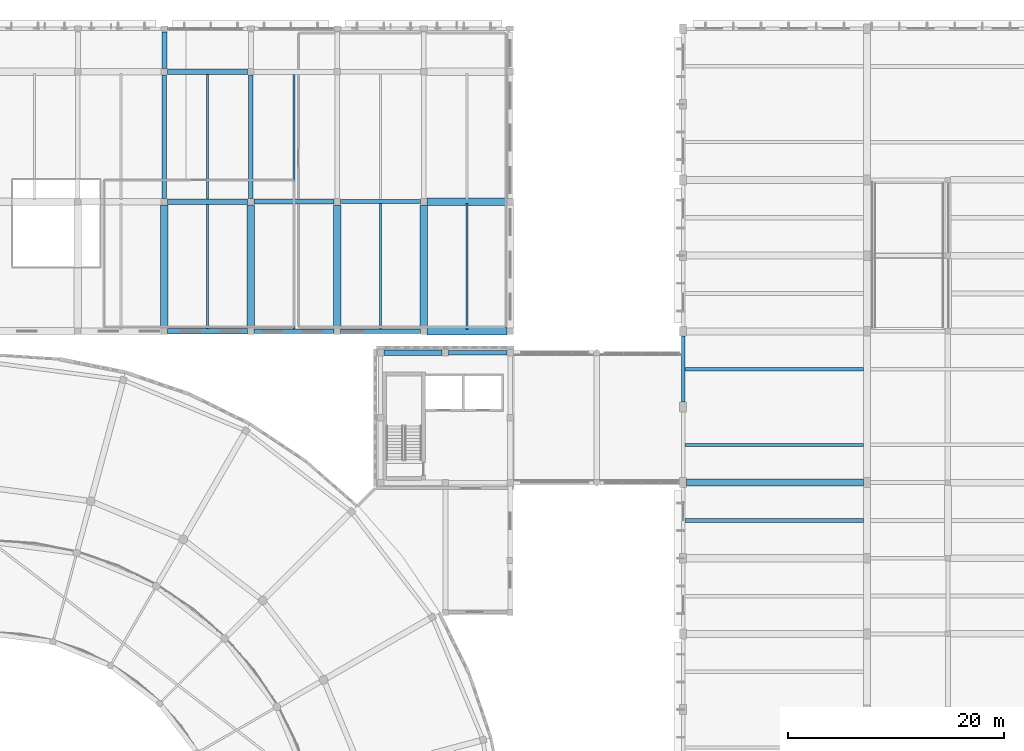
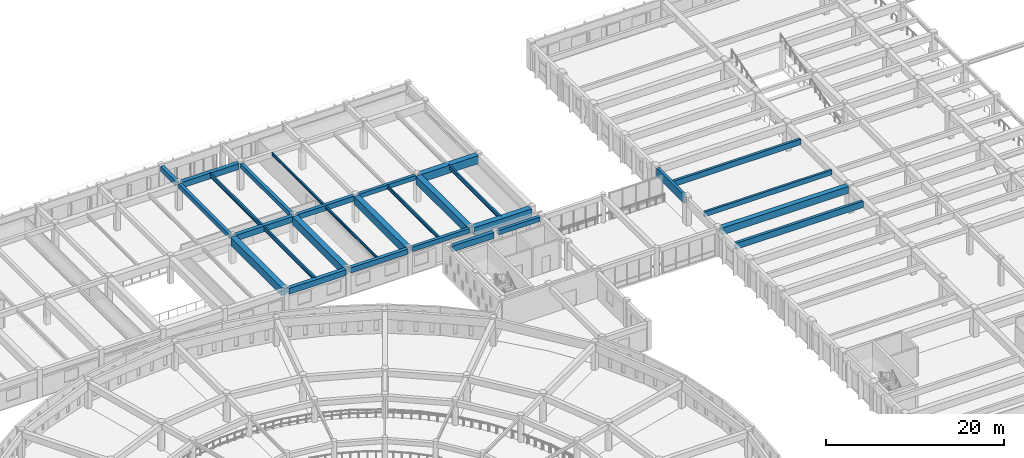
# One storey, part 21 of 98: 29 beams.
"""IFC4 building model written with IfcOpenShell, lengths in metres."""

from ifc_helpers import new_model, si_unit, direction, frame, origin, origin_2d, place, context, subcontext, project, spatial, rectangle, i_section, extrude, material, material_profile, profile_set, type_object, element, save


model = new_model("IFC4")

# Units and contexts
model_context = context("Model", 3, precision=1e-05, world=origin(), true_north=direction((0.0, 1.0)))
body_context = subcontext(model_context, "Body", "Model", "MODEL_VIEW")
ifc_project = project(units=[si_unit("LENGTHUNIT", "METRE"), si_unit("AREAUNIT", "SQUARE_METRE"), si_unit("VOLUMEUNIT", "CUBIC_METRE"), si_unit("PLANEANGLEUNIT", "RADIAN"), si_unit("MASSUNIT", "GRAM", prefix="KILO")], contexts=[model_context])

# Site, building, storey
site_placement = place(None, origin())
site = spatial("IfcSite", under=ifc_project, at=site_placement, CompositionType="ELEMENT")
building_placement = place(site_placement, origin())
building = spatial("IfcBuilding", under=site, at=building_placement, Name="Larkveld Mobility Hub", CompositionType="ELEMENT")
storey_placement = place(building_placement, frame((0.0, 0.0, 4.5)))
storey = spatial("IfcBuildingStorey", under=building, at=storey_placement, Name="L01", CompositionType="ELEMENT", Elevation=4.5)

# Beams
ifc_material_1 = material(Name="Precast concrete C50/60", Category="concrete")
ifc_material_profile_1 = material_profile(ifc_material_1, rectangle(XDim=0.280029296875, YDim=0.64990234375, at=origin_2d()), Name="PC DT 280x650")
ifc_profile_set_1 = profile_set([ifc_material_profile_1], Name="Precast concrete C50/60")
beam_type_1 = type_object("IfcBeamType", Name="BM-DT2865", PredefinedType="T_BEAM", material=ifc_profile_set_1)
beam_1_placement = place(storey_placement, frame((112.169921875, 87.5, 3.344970703125), z_axis=(1.0, 0.0, 0.0), x_axis=(0.0, 1.0, 0.0)))
element("IfcBeam", 1, at=beam_1_placement, inside=storey, type_object=beam_type_1, Name="Precast Double-Tee Stem L01-1064", PredefinedType="T_BEAM", context=body_context, shape_type="SweptSolid", body=[
    extrude(rectangle(XDim=0.280029296875, YDim=0.64990234375, at=origin_2d()), origin(), (0.0, 0.0, 1.0), 16.510009765625),
])
ifc_material_profile_2 = material_profile(ifc_material_1, rectangle(XDim=0.320068359375, YDim=0.75, at=origin_2d()), Name="PC DT 320x750")
ifc_profile_set_2 = profile_set([ifc_material_profile_2], Name="Precast concrete C50/60")
beam_type_2 = type_object("IfcBeamType", Name="BM-DT3275", PredefinedType="T_BEAM", material=ifc_profile_set_2)
beam_2_placement = place(storey_placement, frame((112.169921875, 94.5, 3.294921875), z_axis=(1.0, 0.0, 0.0), x_axis=(0.0, 1.0, 0.0)))
element("IfcBeam", 2, at=beam_2_placement, inside=storey, type_object=beam_type_2, Name="Precast Double-Tee Stem L01-1067", PredefinedType="T_BEAM", context=body_context, shape_type="SweptSolid", body=[
    extrude(rectangle(XDim=0.320068359375, YDim=0.75, at=origin_2d()), origin(), (0.0, 0.0, 1.0), 16.510009765625),
])
ifc_material_profile_3 = material_profile(ifc_material_1, rectangle(XDim=0.360107421875, YDim=0.85009765625, at=origin_2d()), Name="PC DT 360x850")
ifc_profile_set_3 = profile_set([ifc_material_profile_3], Name="Precast concrete C50/60")
beam_type_3 = type_object("IfcBeamType", Name="BM-DT3685", PredefinedType="T_BEAM", material=ifc_profile_set_3)
beam_3_placement = place(storey_placement, frame((112.169921875, 80.5, 3.2451171875), z_axis=(1.0, 0.0, 0.0), x_axis=(0.0, 1.0, 0.0)))
element("IfcBeam", 3, at=beam_3_placement, inside=storey, type_object=beam_type_3, Name="Precast Double-Tee Stem L01-1061", PredefinedType="T_BEAM", context=body_context, shape_type="SweptSolid", body=[
    extrude(rectangle(XDim=0.360107421875, YDim=0.85009765625, at=origin_2d()), origin(), (0.0, 0.0, 1.0), 16.510009765625),
])
ifc_material_profile_4 = material_profile(ifc_material_1, rectangle(XDim=0.64990234375, YDim=0.949951171875, at=origin_2d()), Name="PC ITB 650x950")
ifc_profile_set_4 = profile_set([ifc_material_profile_4], Name="Precast concrete C50/60")
beam_type_4 = type_object("IfcBeamType", Name="BM-ITB6595", PredefinedType="T_BEAM", material=ifc_profile_set_4)
beam_4_placement = place(storey_placement, frame((112.324951171875, 84.0, 3.18505859375), z_axis=(1.0, 0.0, 0.0), x_axis=(0.0, 1.0, 0.0)))
element("IfcBeam", 4, at=beam_4_placement, inside=storey, type_object=beam_type_4, Name="Primary E-W Girder L01-0284", PredefinedType="T_BEAM", context=body_context, shape_type="SweptSolid", body=[
    extrude(rectangle(XDim=0.64990234375, YDim=0.949951171875, at=origin_2d()), origin(), (0.0, 0.0, 1.0), 16.35009765625),
])
ifc_material_2 = material(Name="Concrete C40/50", Category="concrete")
ifc_material_profile_5 = material_profile(ifc_material_2, rectangle(XDim=0.39990234375, YDim=0.60009765625, at=origin_2d()), Name="RC BM 400x600")
ifc_profile_set_5 = profile_set([ifc_material_profile_5], Name="Concrete C40/50")
beam_type_5 = type_object("IfcBeamType", Name="BM-RC4060", PredefinedType="BEAM", material=ifc_profile_set_5)
beam_5_placement = place(storey_placement, frame((90.300048828125, 96.0, 3.360107421875), z_axis=(1.0, 0.0, 0.0), x_axis=(0.0, 1.0, 0.0)))
element("IfcBeam", 5, at=beam_5_placement, inside=storey, type_object=beam_type_5, Name="Primary E-W Girder L01-0290", PredefinedType="BEAM", context=body_context, shape_type="SweptSolid", body=[
    extrude(rectangle(XDim=0.39990234375, YDim=0.60009765625, at=origin_2d()), origin(), (0.0, 0.0, 1.0), 5.39990234375),
])
for number, where, z_axis, x_axis, name in (
    (6, (80.300048828125, 98.0, 3.360107421875), (1.0, 0.0, 0.0), (0.0, 1.0, 0.0), "Primary E-W Girder L01-0301"),
    (7, (80.300048828125, 110.0, 3.360107421875), (1.0, 0.0, 0.0), (0.0, 1.0, 0.0), "Primary E-W Girder L01-0321"),
):
    element("IfcBeam", number, at=place(storey_placement, frame(where, z_axis=z_axis, x_axis=x_axis)), inside=storey, type_object=beam_type_5, Name=name, PredefinedType="BEAM", context=body_context, shape_type="SweptSolid", body=[
        extrude(rectangle(XDim=0.39990234375, YDim=0.60009765625, at=origin_2d()), origin(), (0.0, 0.0, 1.0), 7.39990234375),
    ])
for number, where, z_axis, x_axis, name in (
    (8, (64.0, 110.300048828125, 3.360107421875), (0.0, 1.0, 0.0), (-1.0, 0.0, 0.0), "Primary N-S Girder L01-0375"),
    (9, (72.0, 110.300048828125, 3.360107421875), (0.0, 1.0, 0.0), (-1.0, 0.0, 0.0), "Primary N-S Girder L01-0378"),
):
    element("IfcBeam", number, at=place(storey_placement, frame(where, z_axis=z_axis, x_axis=x_axis)), inside=storey, type_object=beam_type_5, Name=name, PredefinedType="BEAM", context=body_context, shape_type="SweptSolid", body=[
        extrude(rectangle(XDim=0.39990234375, YDim=0.60009765625, at=origin_2d()), origin(), (0.0, 0.0, 1.0), 11.39990234375),
    ])
ifc_material_profile_6 = material_profile(ifc_material_2, rectangle(XDim=0.449951171875, YDim=0.699951171875, at=origin_2d()), Name="RC BM 450x700")
ifc_profile_set_6 = profile_set([ifc_material_profile_6], Name="Concrete C40/50")
beam_type_6 = type_object("IfcBeamType", Name="BM-RC4570", PredefinedType="BEAM", material=ifc_profile_set_6)
for number, where, z_axis, x_axis, name in (
    (10, (72.300048828125, 98.0, 3.31005859375), (1.0, 0.0, 0.0), (0.0, 1.0, 0.0), "Primary E-W Girder L01-0300"),
    (11, (72.300048828125, 110.0, 3.31005859375), (1.0, 0.0, 0.0), (0.0, 1.0, 0.0), "Primary E-W Girder L01-0320"),
):
    element("IfcBeam", number, at=place(storey_placement, frame(where, z_axis=z_axis, x_axis=x_axis)), inside=storey, type_object=beam_type_6, Name=name, PredefinedType="BEAM", context=body_context, shape_type="SweptSolid", body=[
        extrude(rectangle(XDim=0.449951171875, YDim=0.699951171875, at=origin_2d()), origin(), (0.0, 0.0, 1.0), 7.39990234375),
    ])
beam_6_placement = place(storey_placement, frame((64.0, 122.300048828125, 3.31005859375), z_axis=(0.0, 1.0, 0.0), x_axis=(-1.0, 0.0, 0.0)))
element("IfcBeam", 12, at=beam_6_placement, inside=storey, type_object=beam_type_6, Name="Primary N-S Girder L01-0376", PredefinedType="BEAM", context=body_context, shape_type="SweptSolid", body=[
    extrude(rectangle(XDim=0.449951171875, YDim=0.699951171875, at=origin_2d()), origin(), (0.0, 0.0, 1.0), 3.375),
])
ifc_material_profile_7 = material_profile(ifc_material_2, rectangle(XDim=0.5, YDim=0.800048828125, at=origin_2d()), Name="RC BM 500x800")
ifc_profile_set_7 = profile_set([ifc_material_profile_7], Name="Concrete C40/50")
beam_type_7 = type_object("IfcBeamType", Name="BM-RC5080", PredefinedType="BEAM", material=ifc_profile_set_7)
beam_7_placement = place(storey_placement, frame((84.300048828125, 96.0, 3.260009765625), z_axis=(1.0, 0.0, 0.0), x_axis=(0.0, 1.0, 0.0)))
element("IfcBeam", 13, at=beam_7_placement, inside=storey, type_object=beam_type_7, Name="Primary E-W Girder L01-0289", PredefinedType="BEAM", context=body_context, shape_type="SweptSolid", body=[
    extrude(rectangle(XDim=0.5, YDim=0.800048828125, at=origin_2d()), origin(), (0.0, 0.0, 1.0), 5.39990234375),
])
for number, where, z_axis, x_axis, name in (
    (14, (64.300048828125, 98.0, 3.260009765625), (1.0, 0.0, 0.0), (0.0, 1.0, 0.0), "Primary E-W Girder L01-0299"),
    (15, (64.300048828125, 110.0, 3.260009765625), (1.0, 0.0, 0.0), (0.0, 1.0, 0.0), "Primary E-W Girder L01-0319"),
    (16, (64.300048828125, 122.0, 3.260009765625), (1.0, 0.0, 0.0), (0.0, 1.0, 0.0), "Primary E-W Girder L01-0336"),
):
    element("IfcBeam", number, at=place(storey_placement, frame(where, z_axis=z_axis, x_axis=x_axis)), inside=storey, type_object=beam_type_7, Name=name, PredefinedType="BEAM", context=body_context, shape_type="SweptSolid", body=[
        extrude(rectangle(XDim=0.5, YDim=0.800048828125, at=origin_2d()), origin(), (0.0, 0.0, 1.0), 7.39990234375),
    ])
ifc_material_profile_8 = material_profile(ifc_material_2, rectangle(XDim=0.699951171875, YDim=1.10009765625, at=origin_2d()), Name="RC BM 700x1100")
ifc_profile_set_8 = profile_set([ifc_material_profile_8], Name="Concrete C40/50")
beam_type_8 = type_object("IfcBeamType", Name="BM-RC70110", PredefinedType="BEAM", material=ifc_profile_set_8)
for number, where, z_axis, x_axis, name in (
    (17, (88.300048828125, 98.0, 3.110107421875), (1.0, 0.0, 0.0), (0.0, 1.0, 0.0), "Primary E-W Girder L01-0302"),
    (18, (88.300048828125, 110.0, 3.110107421875), (1.0, 0.0, 0.0), (0.0, 1.0, 0.0), "Primary E-W Girder L01-0322"),
):
    element("IfcBeam", number, at=place(storey_placement, frame(where, z_axis=z_axis, x_axis=x_axis)), inside=storey, type_object=beam_type_8, Name=name, PredefinedType="BEAM", context=body_context, shape_type="SweptSolid", body=[
        extrude(rectangle(XDim=0.699951171875, YDim=1.10009765625, at=origin_2d()), origin(), (0.0, 0.0, 1.0), 7.39990234375),
    ])
for number, where, z_axis, x_axis, name in (
    (19, (64.0, 98.300048828125, 3.110107421875), (0.0, 1.0, 0.0), (-1.0, 0.0, 0.0), "Primary N-S Girder L01-0374"),
    (20, (72.0, 98.300048828125, 3.110107421875), (0.0, 1.0, 0.0), (-1.0, 0.0, 0.0), "Primary N-S Girder L01-0377"),
    (21, (80.0, 98.300048828125, 3.110107421875), (0.0, 1.0, 0.0), (-1.0, 0.0, 0.0), "Primary N-S Girder L01-0380"),
    (22, (88.0, 98.300048828125, 3.110107421875), (0.0, 1.0, 0.0), (-1.0, 0.0, 0.0), "Primary N-S Girder L01-0385"),
):
    element("IfcBeam", number, at=place(storey_placement, frame(where, z_axis=z_axis, x_axis=x_axis)), inside=storey, type_object=beam_type_8, Name=name, PredefinedType="BEAM", context=body_context, shape_type="SweptSolid", body=[
        extrude(rectangle(XDim=0.699951171875, YDim=1.10009765625, at=origin_2d()), origin(), (0.0, 0.0, 1.0), 11.39990234375),
    ])
ifc_material_profile_9 = material_profile(ifc_material_1, rectangle(XDim=0.35009765625, YDim=1.14990234375, at=origin_2d()), Name="PC SP 350x1150")
ifc_profile_set_9 = profile_set([ifc_material_profile_9], Name="Precast concrete C50/60")
beam_type_9 = type_object("IfcBeamType", Name="BM-SP35115", PredefinedType="SPANDREL", material=ifc_profile_set_9)
beam_8_placement = place(storey_placement, frame((112.0, 91.449951171875, 3.0849609375), z_axis=(0.0, 1.0, 0.0), x_axis=(-1.0, 0.0, 0.0)))
element("IfcBeam", 23, at=beam_8_placement, inside=storey, type_object=beam_type_9, Name="Primary N-S Girder L01-0406", PredefinedType="SPANDREL", context=body_context, shape_type="SweptSolid", body=[
    extrude(rectangle(XDim=0.35009765625, YDim=1.14990234375, at=origin_2d()), origin(), (0.0, 0.0, 1.0), 6.10009765625),
])
ifc_material_3 = material(Name="Steel S355JR", Category="steel")
ifc_material_profile_10 = material_profile(ifc_material_3, i_section(OverallWidth=0.169921875, OverallDepth=0.360107421875, WebThickness=0.008056640625, FlangeThickness=0.0126953125, FilletRadius=0.01806640625, at=origin_2d()), Name="IPE 360")
ifc_profile_set_10 = profile_set([ifc_material_profile_10], Name="Steel S355JR")
beam_type_10 = type_object("IfcBeamType", Name="BM-STIPE360", PredefinedType="BEAM", material=ifc_profile_set_10)
for number, where, z_axis, x_axis, name in (
    (24, (76.0, 98.169921875, 3.489990234375), (0.0, 1.0, 0.0), (-1.0, 0.0, 0.0), "Bicycle Hall Secondary Beam L01-1194"),
    (25, (76.0, 110.169921875, 3.489990234375), (0.0, 1.0, 0.0), (-1.0, 0.0, 0.0), "Bicycle Hall Secondary Beam L01-1195"),
):
    element("IfcBeam", number, at=place(storey_placement, frame(where, z_axis=z_axis, x_axis=x_axis)), inside=storey, type_object=beam_type_10, Name=name, PredefinedType="BEAM", context=body_context, shape_type="SweptSolid", body=[
        extrude(i_section(OverallWidth=0.169921875, OverallDepth=0.360107421875, WebThickness=0.008056640625, FlangeThickness=0.0126953125, FilletRadius=0.01806640625, at=origin_2d()), origin(), (0.0, 0.0, 1.0), 11.66015625),
    ])
ifc_material_profile_11 = material_profile(ifc_material_3, i_section(OverallWidth=0.18994140625, OverallDepth=0.449951171875, WebThickness=0.009521484375, FlangeThickness=0.0146484375, FilletRadius=0.02099609375, at=origin_2d()), Name="IPE 450")
ifc_profile_set_11 = profile_set([ifc_material_profile_11], Name="Steel S355JR")
beam_type_11 = type_object("IfcBeamType", Name="BM-STIPE450", PredefinedType="BEAM", material=ifc_profile_set_11)
beam_9_placement = place(storey_placement, frame((84.0, 98.169921875, 3.445068359375), z_axis=(0.0, 1.0, 0.0), x_axis=(-1.0, 0.0, 0.0)))
element("IfcBeam", 26, at=beam_9_placement, inside=storey, type_object=beam_type_11, Name="Bicycle Hall Secondary Beam L01-1196", PredefinedType="BEAM", context=body_context, shape_type="SweptSolid", body=[
    extrude(i_section(OverallWidth=0.18994140625, OverallDepth=0.449951171875, WebThickness=0.009521484375, FlangeThickness=0.0146484375, FilletRadius=0.02099609375, at=origin_2d()), origin(), (0.0, 0.0, 1.0), 11.66015625),
])
ifc_material_profile_12 = material_profile(ifc_material_3, i_section(OverallWidth=0.2099609375, OverallDepth=0.550048828125, WebThickness=0.010986328125, FlangeThickness=0.01708984375, FilletRadius=0.02392578125, at=origin_2d()), Name="IPE 550")
ifc_profile_set_12 = profile_set([ifc_material_profile_12], Name="Steel S355JR")
beam_type_12 = type_object("IfcBeamType", Name="BM-STIPE550", PredefinedType="BEAM", material=ifc_profile_set_12)
for number, where, z_axis, x_axis, name in (
    (27, (68.0, 98.169921875, 3.39501953125), (0.0, 1.0, 0.0), (-1.0, 0.0, 0.0), "Bicycle Hall Secondary Beam L01-1192"),
    (28, (68.0, 110.169921875, 3.39501953125), (0.0, 1.0, 0.0), (-1.0, 0.0, 0.0), "Bicycle Hall Secondary Beam L01-1193"),
    (29, (92.0, 98.169921875, 3.39501953125), (0.0, 1.0, 0.0), (-1.0, 0.0, 0.0), "Bicycle Hall Secondary Beam L01-1198"),
):
    element("IfcBeam", number, at=place(storey_placement, frame(where, z_axis=z_axis, x_axis=x_axis)), inside=storey, type_object=beam_type_12, Name=name, PredefinedType="BEAM", context=body_context, shape_type="SweptSolid", body=[
        extrude(i_section(OverallWidth=0.2099609375, OverallDepth=0.550048828125, WebThickness=0.010986328125, FlangeThickness=0.01708984375, FilletRadius=0.02392578125, at=origin_2d()), origin(), (0.0, 0.0, 1.0), 11.66015625),
    ])

save(model, "model.ifc")
